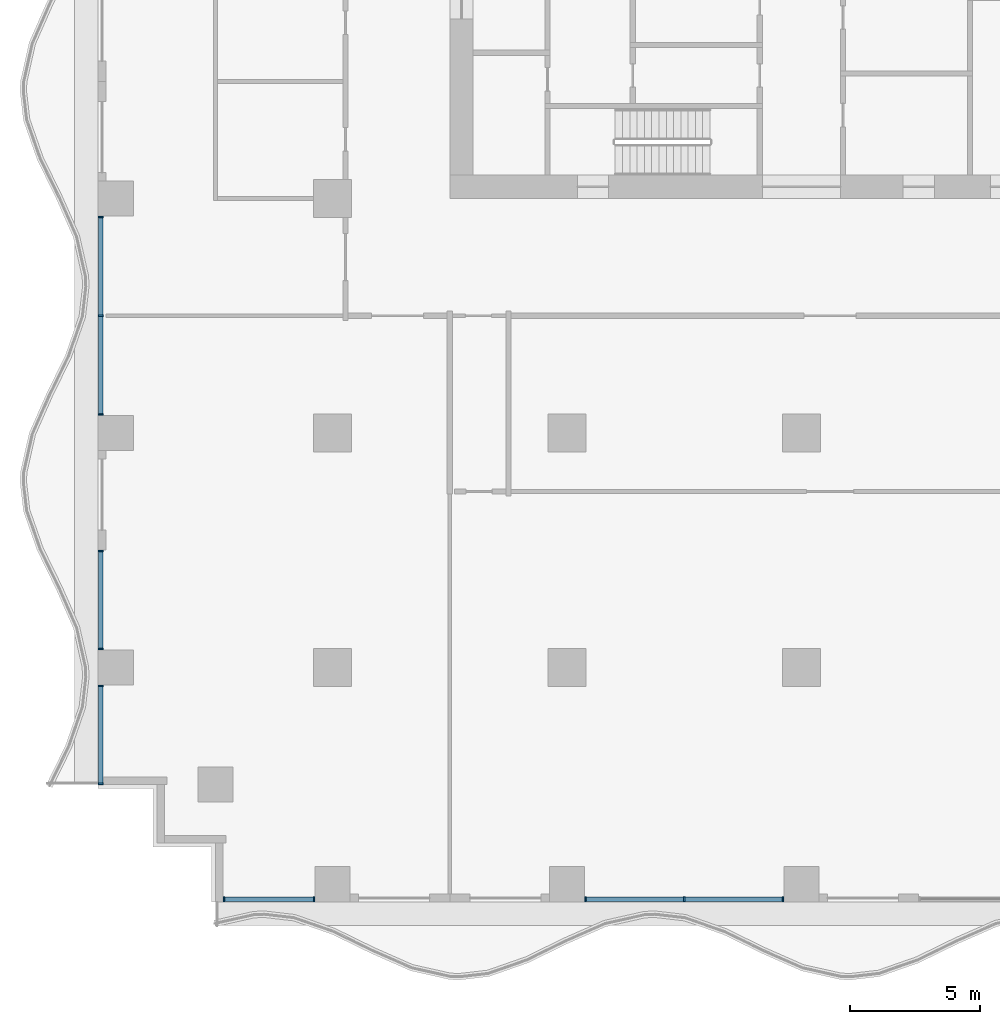
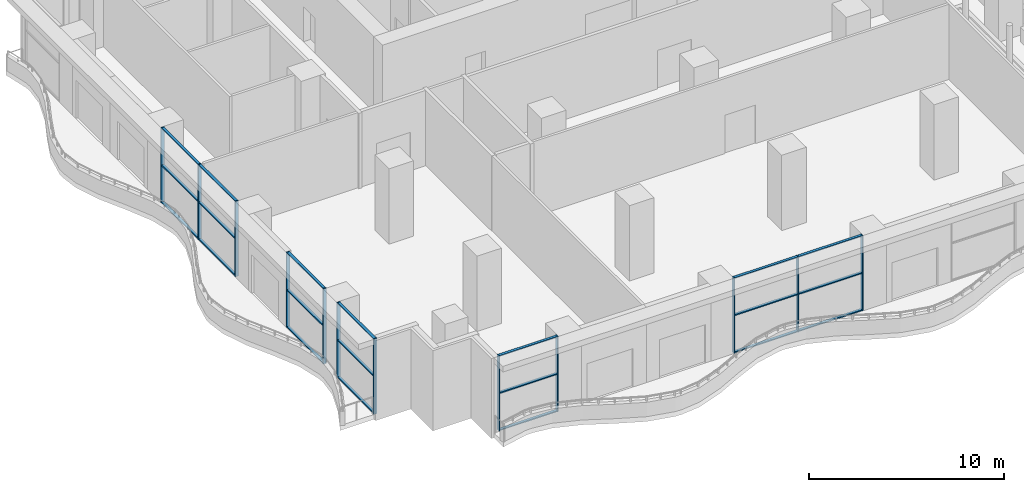
# One storey, part 2 of 18: 33 members, 5 elements without a shape of their own.
"""IFC4 building model written with IfcOpenShell, lengths in metres."""

from ifc_helpers import new_model, si_unit, direction, frame, origin, origin_2d, place, context, subcontext, project, spatial, rectangle, extrude, material, material_profile, profile_set, type_object, element, aggregate, save


model = new_model("IFC4")

# Units and contexts
model_context = context("Model", 3, precision=1e-05, world=origin(), true_north=direction((0.0, 1.0)))
body_context = subcontext(model_context, "Body", "Model", "MODEL_VIEW")
ifc_project = project(units=[si_unit("LENGTHUNIT", "METRE"), si_unit("AREAUNIT", "SQUARE_METRE"), si_unit("VOLUMEUNIT", "CUBIC_METRE"), si_unit("PLANEANGLEUNIT", "RADIAN"), si_unit("MASSUNIT", "GRAM", prefix="KILO")], contexts=[model_context])

# Site, building, storey
site_placement = place(None, origin())
site = spatial("IfcSite", under=ifc_project, at=site_placement, CompositionType="ELEMENT")
building_placement = place(site_placement, origin())
building = spatial("IfcBuilding", under=site, at=building_placement, Name="Orbiselva Terraces", CompositionType="ELEMENT")
storey_placement = place(building_placement, frame((0.0, 0.0, 64.4)))
storey = spatial("IfcBuildingStorey", under=building, at=storey_placement, Name="L16", CompositionType="ELEMENT", Elevation=64.4)

# Curtain wall, members
ifc_material_1 = material(Name="Clear low-e glazing in aluminium frame", Category="aluminium")
curtain_wall_type = type_object("IfcCurtainWallType", Name="ENV-CW-SKY", PredefinedType="NOTDEFINED", material=ifc_material_1)
curtain_wall_1_placement = place(storey_placement, origin())
curtain_wall_1 = element("IfcCurtainWall", 1, at=curtain_wall_1_placement, inside=storey, type_object=curtain_wall_type, Name="Curtain wall L16 S", PredefinedType="NOTDEFINED")
ifc_material_2 = material(Name="Anodised aluminium", Category="aluminium")
ifc_material_profile_1 = material_profile(ifc_material_2, rectangle(XDim=0.2, YDim=0.065, at=origin_2d()), Name="AL 65x200")
ifc_profile_set_1 = profile_set([ifc_material_profile_1], Name="Anodised aluminium")
member_type_1 = type_object("IfcMemberType", Name="ENV-CW-SKY-MULLION-65x200", PredefinedType="MULLION", material=ifc_profile_set_1)
member_1_placement = place(storey_placement, frame((-22.1675, -22.4, 0.0), z_axis=(0.0, 0.0, 1.0), x_axis=(0.0, 1.0, 0.0)))
member_1 = element("IfcMember", 2, at=member_1_placement, type_object=member_type_1, Name="CW3 mullion 1", PredefinedType="MULLION", context=body_context, shape_type="SweptSolid", body=[
    extrude(rectangle(XDim=0.2, YDim=0.065, at=origin_2d()), origin(), (0.0, 0.0, 1.0), 4.7),
])
member_2_placement = place(storey_placement, frame((-18.7075, -22.4, 0.0), z_axis=(0.0, 0.0, 1.0), x_axis=(0.0, 1.0, 0.0)))
member_2 = element("IfcMember", 3, at=member_2_placement, type_object=member_type_1, Name="CW3 mullion 2", PredefinedType="MULLION", context=body_context, shape_type="SweptSolid", body=[
    extrude(rectangle(XDim=0.2, YDim=0.065, at=origin_2d()), origin(), (0.0, 0.0, 1.0), 4.7),
])

curtain_wall_2_placement = place(storey_placement, origin())
curtain_wall_2 = element("IfcCurtainWall", 4, at=curtain_wall_2_placement, inside=storey, type_object=curtain_wall_type, Name="Curtain wall L16 S", PredefinedType="NOTDEFINED")
member_3_placement = place(storey_placement, frame((-8.2925, -22.4, 0.0), z_axis=(0.0, 0.0, 1.0), x_axis=(0.0, 1.0, 0.0)))
member_3 = element("IfcMember", 5, at=member_3_placement, type_object=member_type_1, Name="CW3 mullion 1", PredefinedType="MULLION", context=body_context, shape_type="SweptSolid", body=[
    extrude(rectangle(XDim=0.2, YDim=0.065, at=origin_2d()), origin(), (0.0, 0.0, 1.0), 4.7),
])
member_4_placement = place(storey_placement, frame((-4.5, -22.4, 0.0), z_axis=(0.0, 0.0, 1.0), x_axis=(0.0, 1.0, 0.0)))
member_4 = element("IfcMember", 6, at=member_4_placement, type_object=member_type_1, Name="CW3 mullion 2", PredefinedType="MULLION", context=body_context, shape_type="SweptSolid", body=[
    extrude(rectangle(XDim=0.2, YDim=0.065, at=origin_2d()), origin(), (0.0, 0.0, 1.0), 4.7),
])
member_5_placement = place(storey_placement, frame((-0.7075, -22.4, 0.0), z_axis=(0.0, 0.0, 1.0), x_axis=(0.0, 1.0, 0.0)))
member_5 = element("IfcMember", 7, at=member_5_placement, type_object=member_type_1, Name="CW3 mullion 3", PredefinedType="MULLION", context=body_context, shape_type="SweptSolid", body=[
    extrude(rectangle(XDim=0.2, YDim=0.065, at=origin_2d()), origin(), (0.0, 0.0, 1.0), 4.7),
])

curtain_wall_3_placement = place(storey_placement, origin())
curtain_wall_3 = element("IfcCurtainWall", 8, at=curtain_wall_3_placement, inside=storey, type_object=curtain_wall_type, Name="Curtain wall L16 W", PredefinedType="NOTDEFINED")
member_6_placement = place(storey_placement, frame((-26.9, 3.7925, 0.0), z_axis=(0.0, 0.0, 1.0), x_axis=(1.0, 0.0, 0.0)))
member_6 = element("IfcMember", 9, at=member_6_placement, type_object=member_type_1, Name="CW3 mullion 1", PredefinedType="MULLION", context=body_context, shape_type="SweptSolid", body=[
    extrude(rectangle(XDim=0.2, YDim=0.065, at=origin_2d()), origin(), (0.0, 0.0, 1.0), 4.7),
])
member_7_placement = place(storey_placement, frame((-26.9, 0.0, 0.0), z_axis=(0.0, 0.0, 1.0), x_axis=(1.0, 0.0, 0.0)))
member_7 = element("IfcMember", 10, at=member_7_placement, type_object=member_type_1, Name="CW3 mullion 2", PredefinedType="MULLION", context=body_context, shape_type="SweptSolid", body=[
    extrude(rectangle(XDim=0.2, YDim=0.065, at=origin_2d()), origin(), (0.0, 0.0, 1.0), 4.7),
])
member_8_placement = place(storey_placement, frame((-26.9, -3.7925, 0.0), z_axis=(0.0, 0.0, 1.0), x_axis=(1.0, 0.0, 0.0)))
member_8 = element("IfcMember", 11, at=member_8_placement, type_object=member_type_1, Name="CW3 mullion 3", PredefinedType="MULLION", context=body_context, shape_type="SweptSolid", body=[
    extrude(rectangle(XDim=0.2, YDim=0.065, at=origin_2d()), origin(), (0.0, 0.0, 1.0), 4.7),
])

curtain_wall_4_placement = place(storey_placement, origin())
curtain_wall_4 = element("IfcCurtainWall", 12, at=curtain_wall_4_placement, inside=storey, type_object=curtain_wall_type, Name="Curtain wall L16 W", PredefinedType="NOTDEFINED")
member_9_placement = place(storey_placement, frame((-26.9, -9.0325, 0.0), z_axis=(0.0, 0.0, 1.0), x_axis=(1.0, 0.0, 0.0)))
member_9 = element("IfcMember", 13, at=member_9_placement, type_object=member_type_1, Name="CW3 mullion 1", PredefinedType="MULLION", context=body_context, shape_type="SweptSolid", body=[
    extrude(rectangle(XDim=0.2, YDim=0.065, at=origin_2d()), origin(), (0.0, 0.0, 1.0), 4.7),
])
member_10_placement = place(storey_placement, frame((-26.9, -12.7925, 0.0), z_axis=(0.0, 0.0, 1.0), x_axis=(1.0, 0.0, 0.0)))
member_10 = element("IfcMember", 14, at=member_10_placement, type_object=member_type_1, Name="CW3 mullion 2", PredefinedType="MULLION", context=body_context, shape_type="SweptSolid", body=[
    extrude(rectangle(XDim=0.2, YDim=0.065, at=origin_2d()), origin(), (0.0, 0.0, 1.0), 4.7),
])

curtain_wall_5_placement = place(storey_placement, origin())
curtain_wall_5 = element("IfcCurtainWall", 15, at=curtain_wall_5_placement, inside=storey, type_object=curtain_wall_type, Name="Curtain wall L16 W", PredefinedType="NOTDEFINED")
member_11_placement = place(storey_placement, frame((-26.9, -14.2075, 0.0), z_axis=(0.0, 0.0, 1.0), x_axis=(1.0, 0.0, 0.0)))
member_11 = element("IfcMember", 16, at=member_11_placement, type_object=member_type_1, Name="CW3 mullion 1", PredefinedType="MULLION", context=body_context, shape_type="SweptSolid", body=[
    extrude(rectangle(XDim=0.2, YDim=0.065, at=origin_2d()), origin(), (0.0, 0.0, 1.0), 4.7),
])
member_12_placement = place(storey_placement, frame((-26.9, -17.9675, 0.0), z_axis=(0.0, 0.0, 1.0), x_axis=(1.0, 0.0, 0.0)))
member_12 = element("IfcMember", 17, at=member_12_placement, type_object=member_type_1, Name="CW3 mullion 2", PredefinedType="MULLION", context=body_context, shape_type="SweptSolid", body=[
    extrude(rectangle(XDim=0.2, YDim=0.065, at=origin_2d()), origin(), (0.0, 0.0, 1.0), 4.7),
])

# Member
ifc_material_profile_2 = material_profile(ifc_material_2, rectangle(XDim=0.16, YDim=0.065, at=origin_2d()), Name="AL 65x160")
ifc_profile_set_2 = profile_set([ifc_material_profile_2], Name="Anodised aluminium")
member_type_2 = type_object("IfcMemberType", Name="ENV-CW-SKY-TRANSOM-65x160", PredefinedType="USERDEFINED", material=ifc_profile_set_2)
member_13_placement = place(storey_placement, frame((-22.135, -22.4, 0.0325), z_axis=(1.0, 0.0, 0.0), x_axis=(0.0, 1.0, 0.0)))
member_13 = element("IfcMember", 18, at=member_13_placement, type_object=member_type_2, Name="CW3 transom 1.1", ObjectType="TRANSOM", PredefinedType="USERDEFINED", context=body_context, shape_type="SweptSolid", body=[
    extrude(rectangle(XDim=0.16, YDim=0.065, at=origin_2d()), origin(), (0.0, 0.0, 1.0), 3.395),
])

member_14_placement = place(storey_placement, frame((-22.135, -22.4, 2.35), z_axis=(1.0, 0.0, 0.0), x_axis=(0.0, 1.0, 0.0)))
member_14 = element("IfcMember", 19, at=member_14_placement, type_object=member_type_2, Name="CW3 transom 1.2", ObjectType="TRANSOM", PredefinedType="USERDEFINED", context=body_context, shape_type="SweptSolid", body=[
    extrude(rectangle(XDim=0.16, YDim=0.065, at=origin_2d()), origin(), (0.0, 0.0, 1.0), 3.395),
])

member_15_placement = place(storey_placement, frame((-22.135, -22.4, 4.6675), z_axis=(1.0, 0.0, 0.0), x_axis=(0.0, 1.0, 0.0)))
member_15 = element("IfcMember", 20, at=member_15_placement, type_object=member_type_2, Name="CW3 transom 1.3", ObjectType="TRANSOM", PredefinedType="USERDEFINED", context=body_context, shape_type="SweptSolid", body=[
    extrude(rectangle(XDim=0.16, YDim=0.065, at=origin_2d()), origin(), (0.0, 0.0, 1.0), 3.395),
])

aggregate(curtain_wall_1, [member_1, member_2, member_13, member_14, member_15])

member_16_placement = place(storey_placement, frame((-8.26, -22.4, 0.0325), z_axis=(1.0, 0.0, 0.0), x_axis=(0.0, 1.0, 0.0)))
member_16 = element("IfcMember", 21, at=member_16_placement, type_object=member_type_2, Name="CW3 transom 1.1", ObjectType="TRANSOM", PredefinedType="USERDEFINED", context=body_context, shape_type="SweptSolid", body=[
    extrude(rectangle(XDim=0.16, YDim=0.065, at=origin_2d()), origin(), (0.0, 0.0, 1.0), 3.7275),
])

member_17_placement = place(storey_placement, frame((-8.26, -22.4, 2.35), z_axis=(1.0, 0.0, 0.0), x_axis=(0.0, 1.0, 0.0)))
member_17 = element("IfcMember", 22, at=member_17_placement, type_object=member_type_2, Name="CW3 transom 1.2", ObjectType="TRANSOM", PredefinedType="USERDEFINED", context=body_context, shape_type="SweptSolid", body=[
    extrude(rectangle(XDim=0.16, YDim=0.065, at=origin_2d()), origin(), (0.0, 0.0, 1.0), 3.7275),
])

member_18_placement = place(storey_placement, frame((-8.26, -22.4, 4.6675), z_axis=(1.0, 0.0, 0.0), x_axis=(0.0, 1.0, 0.0)))
member_18 = element("IfcMember", 23, at=member_18_placement, type_object=member_type_2, Name="CW3 transom 1.3", ObjectType="TRANSOM", PredefinedType="USERDEFINED", context=body_context, shape_type="SweptSolid", body=[
    extrude(rectangle(XDim=0.16, YDim=0.065, at=origin_2d()), origin(), (0.0, 0.0, 1.0), 3.7275),
])

member_19_placement = place(storey_placement, frame((-4.4675, -22.4, 0.0325), z_axis=(1.0, 0.0, 0.0), x_axis=(0.0, 1.0, 0.0)))
member_19 = element("IfcMember", 24, at=member_19_placement, type_object=member_type_2, Name="CW3 transom 2.1", ObjectType="TRANSOM", PredefinedType="USERDEFINED", context=body_context, shape_type="SweptSolid", body=[
    extrude(rectangle(XDim=0.16, YDim=0.065, at=origin_2d()), origin(), (0.0, 0.0, 1.0), 3.7275),
])

member_20_placement = place(storey_placement, frame((-4.4675, -22.4, 2.35), z_axis=(1.0, 0.0, 0.0), x_axis=(0.0, 1.0, 0.0)))
member_20 = element("IfcMember", 25, at=member_20_placement, type_object=member_type_2, Name="CW3 transom 2.2", ObjectType="TRANSOM", PredefinedType="USERDEFINED", context=body_context, shape_type="SweptSolid", body=[
    extrude(rectangle(XDim=0.16, YDim=0.065, at=origin_2d()), origin(), (0.0, 0.0, 1.0), 3.7275),
])

member_21_placement = place(storey_placement, frame((-4.4675, -22.4, 4.6675), z_axis=(1.0, 0.0, 0.0), x_axis=(0.0, 1.0, 0.0)))
member_21 = element("IfcMember", 26, at=member_21_placement, type_object=member_type_2, Name="CW3 transom 2.3", ObjectType="TRANSOM", PredefinedType="USERDEFINED", context=body_context, shape_type="SweptSolid", body=[
    extrude(rectangle(XDim=0.16, YDim=0.065, at=origin_2d()), origin(), (0.0, 0.0, 1.0), 3.7275),
])

aggregate(curtain_wall_2, [member_3, member_4, member_5, member_16, member_17, member_18, member_19, member_20, member_21])

member_22_placement = place(storey_placement, frame((-26.9, 3.76, 0.0325), z_axis=(0.0, -1.0, 0.0), x_axis=(1.0, 0.0, 0.0)))
member_22 = element("IfcMember", 27, at=member_22_placement, type_object=member_type_2, Name="CW3 transom 1.1", ObjectType="TRANSOM", PredefinedType="USERDEFINED", context=body_context, shape_type="SweptSolid", body=[
    extrude(rectangle(XDim=0.16, YDim=0.065, at=origin_2d()), origin(), (0.0, 0.0, 1.0), 3.7275),
])

member_23_placement = place(storey_placement, frame((-26.9, 3.76, 2.35), z_axis=(0.0, -1.0, 0.0), x_axis=(1.0, 0.0, 0.0)))
member_23 = element("IfcMember", 28, at=member_23_placement, type_object=member_type_2, Name="CW3 transom 1.2", ObjectType="TRANSOM", PredefinedType="USERDEFINED", context=body_context, shape_type="SweptSolid", body=[
    extrude(rectangle(XDim=0.16, YDim=0.065, at=origin_2d()), origin(), (0.0, 0.0, 1.0), 3.7275),
])

member_24_placement = place(storey_placement, frame((-26.9, 3.76, 4.6675), z_axis=(0.0, -1.0, 0.0), x_axis=(1.0, 0.0, 0.0)))
member_24 = element("IfcMember", 29, at=member_24_placement, type_object=member_type_2, Name="CW3 transom 1.3", ObjectType="TRANSOM", PredefinedType="USERDEFINED", context=body_context, shape_type="SweptSolid", body=[
    extrude(rectangle(XDim=0.16, YDim=0.065, at=origin_2d()), origin(), (0.0, 0.0, 1.0), 3.7275),
])

member_25_placement = place(storey_placement, frame((-26.9, -0.0325, 0.0325), z_axis=(0.0, -1.0, 0.0), x_axis=(1.0, 0.0, 0.0)))
member_25 = element("IfcMember", 30, at=member_25_placement, type_object=member_type_2, Name="CW3 transom 2.1", ObjectType="TRANSOM", PredefinedType="USERDEFINED", context=body_context, shape_type="SweptSolid", body=[
    extrude(rectangle(XDim=0.16, YDim=0.065, at=origin_2d()), origin(), (0.0, 0.0, 1.0), 3.7275),
])

member_26_placement = place(storey_placement, frame((-26.9, -0.0325, 2.35), z_axis=(0.0, -1.0, 0.0), x_axis=(1.0, 0.0, 0.0)))
member_26 = element("IfcMember", 31, at=member_26_placement, type_object=member_type_2, Name="CW3 transom 2.2", ObjectType="TRANSOM", PredefinedType="USERDEFINED", context=body_context, shape_type="SweptSolid", body=[
    extrude(rectangle(XDim=0.16, YDim=0.065, at=origin_2d()), origin(), (0.0, 0.0, 1.0), 3.7275),
])

member_27_placement = place(storey_placement, frame((-26.9, -0.0325, 4.6675), z_axis=(0.0, -1.0, 0.0), x_axis=(1.0, 0.0, 0.0)))
member_27 = element("IfcMember", 32, at=member_27_placement, type_object=member_type_2, Name="CW3 transom 2.3", ObjectType="TRANSOM", PredefinedType="USERDEFINED", context=body_context, shape_type="SweptSolid", body=[
    extrude(rectangle(XDim=0.16, YDim=0.065, at=origin_2d()), origin(), (0.0, 0.0, 1.0), 3.7275),
])

aggregate(curtain_wall_3, [member_6, member_7, member_8, member_22, member_23, member_24, member_25, member_26, member_27])

member_28_placement = place(storey_placement, frame((-26.9, -9.065, 0.0325), z_axis=(0.0, -1.0, 0.0), x_axis=(1.0, 0.0, 0.0)))
member_28 = element("IfcMember", 33, at=member_28_placement, type_object=member_type_2, Name="CW3 transom 1.1", ObjectType="TRANSOM", PredefinedType="USERDEFINED", context=body_context, shape_type="SweptSolid", body=[
    extrude(rectangle(XDim=0.16, YDim=0.065, at=origin_2d()), origin(), (0.0, 0.0, 1.0), 3.695),
])

member_29_placement = place(storey_placement, frame((-26.9, -9.065, 2.35), z_axis=(0.0, -1.0, 0.0), x_axis=(1.0, 0.0, 0.0)))
member_29 = element("IfcMember", 34, at=member_29_placement, type_object=member_type_2, Name="CW3 transom 1.2", ObjectType="TRANSOM", PredefinedType="USERDEFINED", context=body_context, shape_type="SweptSolid", body=[
    extrude(rectangle(XDim=0.16, YDim=0.065, at=origin_2d()), origin(), (0.0, 0.0, 1.0), 3.695),
])

member_30_placement = place(storey_placement, frame((-26.9, -9.065, 4.6675), z_axis=(0.0, -1.0, 0.0), x_axis=(1.0, 0.0, 0.0)))
member_30 = element("IfcMember", 35, at=member_30_placement, type_object=member_type_2, Name="CW3 transom 1.3", ObjectType="TRANSOM", PredefinedType="USERDEFINED", context=body_context, shape_type="SweptSolid", body=[
    extrude(rectangle(XDim=0.16, YDim=0.065, at=origin_2d()), origin(), (0.0, 0.0, 1.0), 3.695),
])

aggregate(curtain_wall_4, [member_9, member_10, member_28, member_29, member_30])

member_31_placement = place(storey_placement, frame((-26.9, -14.24, 0.0325), z_axis=(0.0, -1.0, 0.0), x_axis=(1.0, 0.0, 0.0)))
member_31 = element("IfcMember", 36, at=member_31_placement, type_object=member_type_2, Name="CW3 transom 1.1", ObjectType="TRANSOM", PredefinedType="USERDEFINED", context=body_context, shape_type="SweptSolid", body=[
    extrude(rectangle(XDim=0.16, YDim=0.065, at=origin_2d()), origin(), (0.0, 0.0, 1.0), 3.695),
])

member_32_placement = place(storey_placement, frame((-26.9, -14.24, 2.35), z_axis=(0.0, -1.0, 0.0), x_axis=(1.0, 0.0, 0.0)))
member_32 = element("IfcMember", 37, at=member_32_placement, type_object=member_type_2, Name="CW3 transom 1.2", ObjectType="TRANSOM", PredefinedType="USERDEFINED", context=body_context, shape_type="SweptSolid", body=[
    extrude(rectangle(XDim=0.16, YDim=0.065, at=origin_2d()), origin(), (0.0, 0.0, 1.0), 3.695),
])

member_33_placement = place(storey_placement, frame((-26.9, -14.24, 4.6675), z_axis=(0.0, -1.0, 0.0), x_axis=(1.0, 0.0, 0.0)))
member_33 = element("IfcMember", 38, at=member_33_placement, type_object=member_type_2, Name="CW3 transom 1.3", ObjectType="TRANSOM", PredefinedType="USERDEFINED", context=body_context, shape_type="SweptSolid", body=[
    extrude(rectangle(XDim=0.16, YDim=0.065, at=origin_2d()), origin(), (0.0, 0.0, 1.0), 3.695),
])

aggregate(curtain_wall_5, [member_11, member_12, member_31, member_32, member_33])

save(model, "model.ifc")
